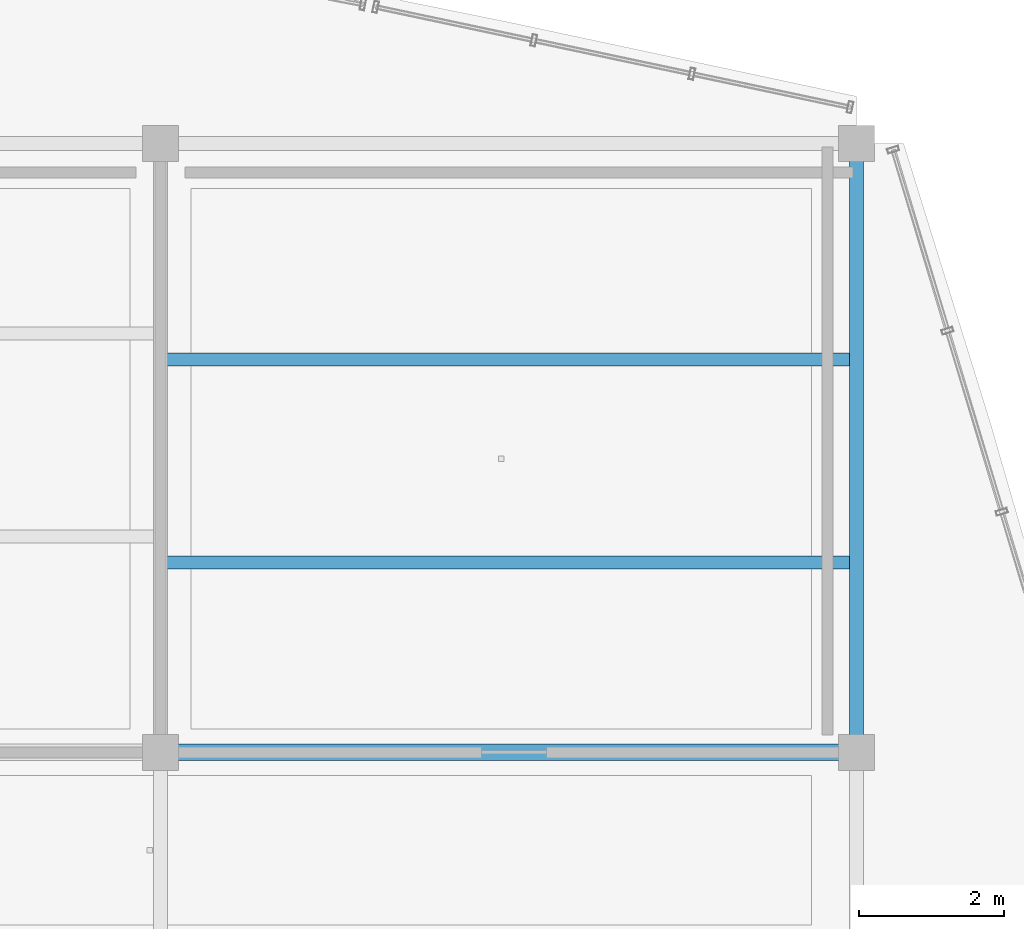
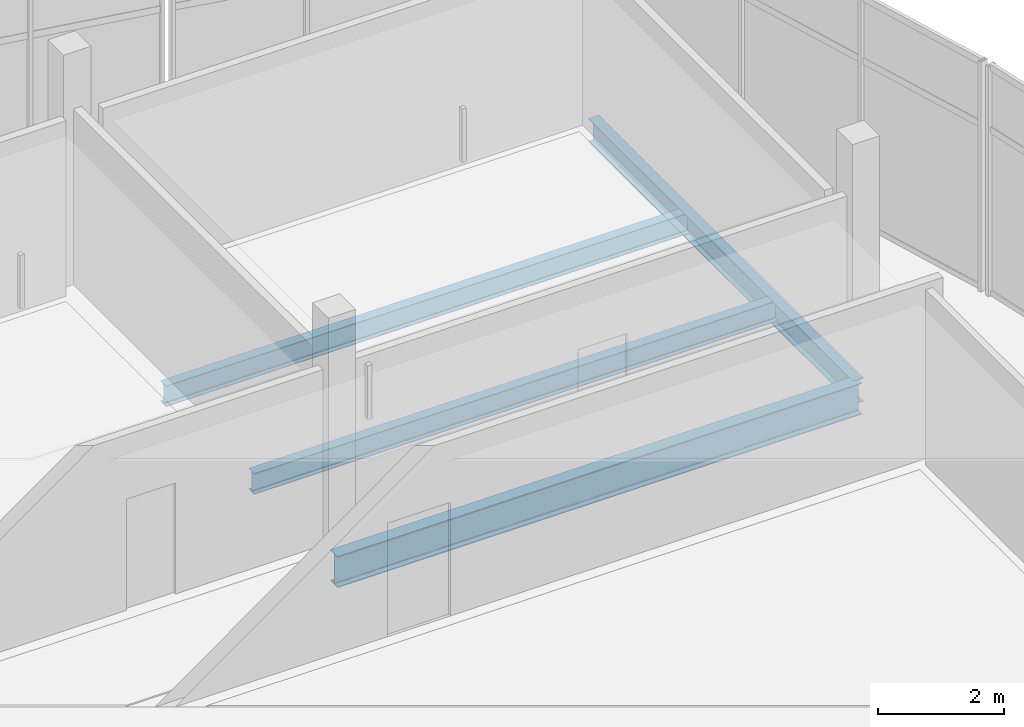
# One storey, part 76 of 114: 4 beams.
"""IFC4 building model written with IfcOpenShell, lengths in metres."""

from ifc_helpers import new_model, si_unit, direction, frame, origin, origin_2d, place, context, subcontext, project, spatial, i_section, extrude, material, material_profile, profile_set, type_object, element, save


model = new_model("IFC4")

# Units and contexts
model_context = context("Model", 3, precision=1e-05, world=origin(), true_north=direction((0.0, 1.0)))
body_context = subcontext(model_context, "Body", "Model", "MODEL_VIEW")
ifc_project = project(units=[si_unit("LENGTHUNIT", "METRE"), si_unit("AREAUNIT", "SQUARE_METRE"), si_unit("VOLUMEUNIT", "CUBIC_METRE"), si_unit("PLANEANGLEUNIT", "RADIAN"), si_unit("MASSUNIT", "GRAM", prefix="KILO")], contexts=[model_context])

# Site, building, storey
site_placement = place(None, origin())
site = spatial("IfcSite", under=ifc_project, at=site_placement, CompositionType="ELEMENT")
building_placement = place(site_placement, origin())
building = spatial("IfcBuilding", under=site, at=building_placement, Name="Chalmorin Arch Market", CompositionType="ELEMENT")
storey_placement = place(building_placement, frame((0.0, 0.0, 9.60009765625)))
storey = spatial("IfcBuildingStorey", under=building, at=storey_placement, Name="L02", CompositionType="ELEMENT", Elevation=9.60009765625)

# Beams
ifc_material = material(Name="Steel A992 Grade 50", Category="steel")
ifc_material_profile_1 = material_profile(ifc_material, i_section(OverallWidth=0.19091796875, OverallDepth=0.45703125, WebThickness=0.009033203125, FlangeThickness=0.014404296875, FilletRadius=0.02001953125, at=origin_2d()), Name="W18X50")
ifc_profile_set_1 = profile_set([ifc_material_profile_1], Name="Steel A992 Grade 50")
beam_type_1 = type_object("IfcBeamType", Name="PerimeterSpandrelBeam-W18X50", PredefinedType="SPANDREL", material=ifc_profile_set_1)
beam_1_placement = place(storey_placement, frame((115.199951171875, 109.60009765625, -0.510498046875), z_axis=(0.0, 1.0, 0.0), x_axis=(-1.0, 0.0, 0.0)))
element("IfcBeam", 1, at=beam_1_placement, inside=storey, type_object=beam_type_1, Name="SP-W18-1300", PredefinedType="SPANDREL", context=body_context, shape_type="SweptSolid", body=[
    extrude(i_section(OverallWidth=0.19091796875, OverallDepth=0.45703125, WebThickness=0.009033203125, FlangeThickness=0.014404296875, FilletRadius=0.02001953125, at=origin_2d()), origin(), (0.0, 0.0, 1.0), 8.39990234375),
])
ifc_material_profile_2 = material_profile(ifc_material, i_section(OverallWidth=0.22802734375, OverallDepth=0.60791015625, WebThickness=0.01123046875, FlangeThickness=0.017333984375, FilletRadius=0.02392578125, at=origin_2d()), Name="W24X76")
ifc_profile_set_2 = profile_set([ifc_material_profile_2], Name="Steel A992 Grade 50")
beam_type_2 = type_object("IfcBeamType", Name="PrimarySteelGirder-W24X76", PredefinedType="BEAM", material=ifc_profile_set_2)
beam_2_placement = place(storey_placement, frame((105.60009765625, 109.60009765625, -0.586181640625), z_axis=(1.0, 0.0, 0.0), x_axis=(0.0, 1.0, 0.0)))
element("IfcBeam", 2, at=beam_2_placement, inside=storey, type_object=beam_type_2, Name="BG-W24B-1297", PredefinedType="BEAM", context=body_context, shape_type="SweptSolid", body=[
    extrude(i_section(OverallWidth=0.22802734375, OverallDepth=0.60791015625, WebThickness=0.01123046875, FlangeThickness=0.017333984375, FilletRadius=0.02392578125, at=origin_2d()), origin(), (0.0, 0.0, 1.0), 9.599853515625),
])
ifc_material_profile_3 = material_profile(ifc_material, i_section(OverallWidth=0.177978515625, OverallDepth=0.403076171875, WebThickness=0.007568359375, FlangeThickness=0.010986328125, FilletRadius=0.01806640625, at=origin_2d()), Name="W16X36")
ifc_profile_set_3 = profile_set([ifc_material_profile_3], Name="Steel A992 Grade 50")
beam_type_3 = type_object("IfcBeamType", Name="SecondaryFloorJoist-W16X36", PredefinedType="JOIST", material=ifc_profile_set_3)
for number, where, z_axis, x_axis, name in (
    (3, (105.60009765625, 112.219970703125, -0.483642578125), (1.0, 0.0, 0.0), (0.0, 1.0, 0.0), "BJ-W16B-1361"),
    (4, (105.60009765625, 115.02001953125, -0.483642578125), (1.0, 0.0, 0.0), (0.0, 1.0, 0.0), "BJ-W16B-1362"),
):
    element("IfcBeam", number, at=place(storey_placement, frame(where, z_axis=z_axis, x_axis=x_axis)), inside=storey, type_object=beam_type_3, Name=name, PredefinedType="JOIST", context=body_context, shape_type="SweptSolid", body=[
        extrude(i_section(OverallWidth=0.177978515625, OverallDepth=0.403076171875, WebThickness=0.007568359375, FlangeThickness=0.010986328125, FilletRadius=0.01806640625, at=origin_2d()), origin(), (0.0, 0.0, 1.0), 9.599853515625),
    ])

save(model, "model.ifc")
